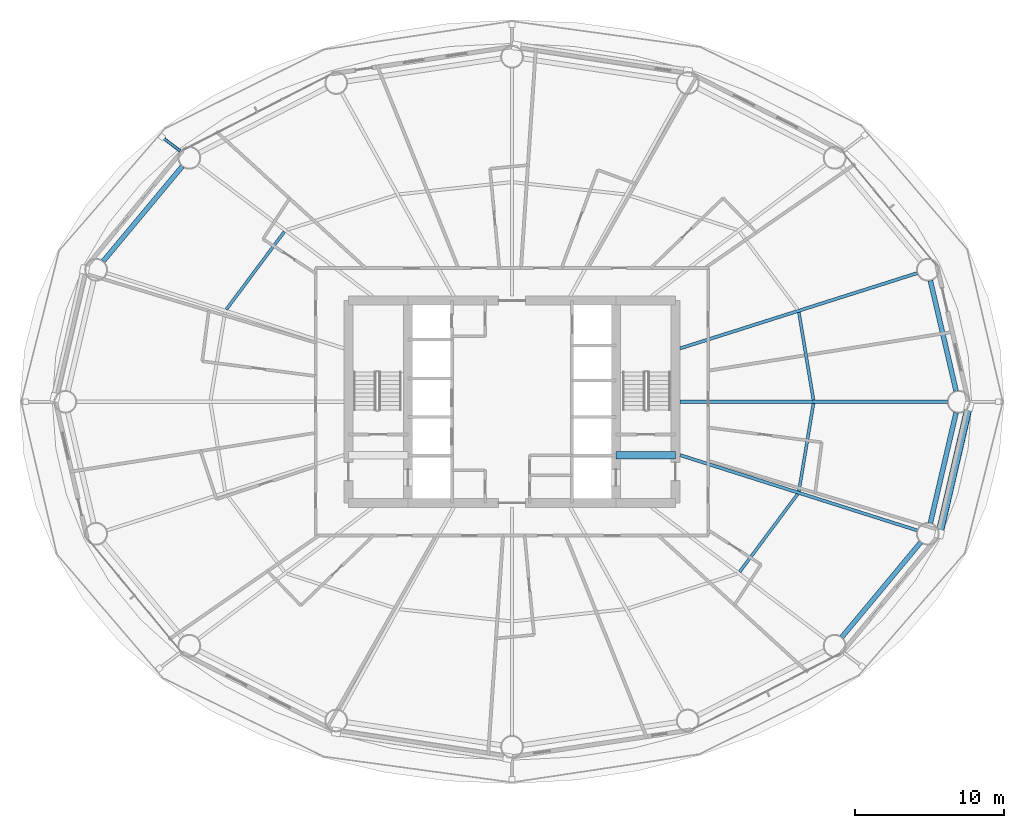
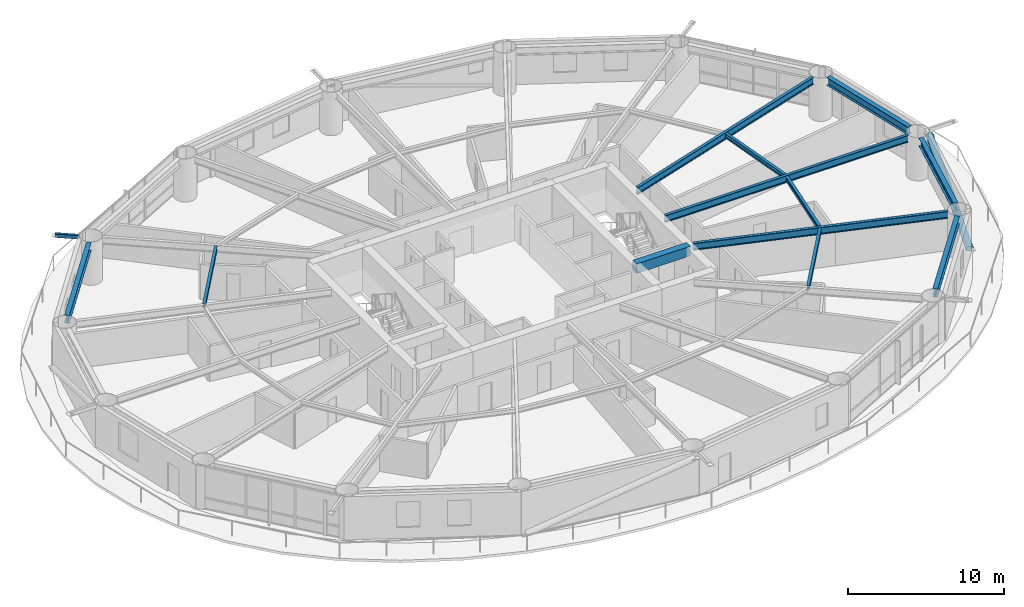
# One storey, part 9 of 28: 12 beams, 2 members.
"""IFC4 building model written with IfcOpenShell, lengths in metres."""

from ifc_helpers import new_model, si_unit, direction, frame, origin, origin_2d, place, context, subcontext, project, spatial, rectangle, hollow_rectangle, hollow_circle, i_section, extrude, material, material_profile, profile_set, type_object, element, save


model = new_model("IFC4")

# Units and contexts
model_context = context("Model", 3, precision=1e-05, world=origin(), true_north=direction((0.0, 1.0)))
body_context = subcontext(model_context, "Body", "Model", "MODEL_VIEW")
ifc_project = project(units=[si_unit("LENGTHUNIT", "METRE"), si_unit("AREAUNIT", "SQUARE_METRE"), si_unit("VOLUMEUNIT", "CUBIC_METRE"), si_unit("PLANEANGLEUNIT", "RADIAN"), si_unit("MASSUNIT", "GRAM", prefix="KILO")], contexts=[model_context])

# Site, building, storey
site_placement = place(None, origin())
site = spatial("IfcSite", under=ifc_project, at=site_placement, CompositionType="ELEMENT")
building_placement = place(site_placement, origin())
building = spatial("IfcBuilding", under=site, at=building_placement, Name="Sarneth Arch Tower", CompositionType="ELEMENT")
storey_placement = place(building_placement, frame((0.0, 0.0, 67.800048828125)))
storey = spatial("IfcBuildingStorey", under=building, at=storey_placement, Name="L16", CompositionType="ELEMENT", Elevation=67.800048828125)

# Beams
ifc_material_1 = material(Name="Steel S355", Category="steel")
ifc_material_profile_1 = material_profile(ifc_material_1, i_section(OverallWidth=0.202880859375, OverallDepth=0.346923828125, WebThickness=0.0078125, FlangeThickness=0.013427734375, FilletRadius=0.014892578125, at=origin_2d()), Name="W360x64")
ifc_profile_set_1 = profile_set([ifc_material_profile_1], Name="Steel S355")
beam_type_1 = type_object("IfcBeamType", Name="BM-JOIST-360C", PredefinedType="JOIST", material=ifc_profile_set_1)
beam_1_placement = place(storey_placement, frame((68.27490234375, 42.10546875, 3.20654296875), z_axis=(-0.16394288124, 0.986469833138, 0.0), x_axis=(-0.986469833138, -0.16394288124, 0.0)))
element("IfcBeam", 1, at=beam_1_placement, inside=storey, type_object=beam_type_1, Name="L16 Secondary floor joist 01", PredefinedType="JOIST", context=body_context, shape_type="SweptSolid", body=[
    extrude(i_section(OverallWidth=0.202880859375, OverallDepth=0.346923828125, WebThickness=0.0078125, FlangeThickness=0.013427734375, FilletRadius=0.014892578125, at=origin_2d()), origin(), (0.0, 0.0, 1.0), 5.989501953125),
])
for number, where, z_axis, x_axis, name in (
    (2, (32.691650390625, 53.4404296875, 3.20654296875), (-0.597700490469, -0.801719479428, 0.0), (0.801719479428, -0.597700490469, 0.0), "L16 Secondary floor joist 07"),
    (3, (63.308349609375, 30.5595703125, 3.20654296875), (0.597700490469, 0.801719479428, 0.0), (-0.801719479428, 0.597700490469, 0.0), "L16 Secondary floor joist 15"),
):
    element("IfcBeam", number, at=place(storey_placement, frame(where, z_axis=z_axis, x_axis=x_axis)), inside=storey, type_object=beam_type_1, Name=name, PredefinedType="JOIST", context=body_context, shape_type="SweptSolid", body=[
        extrude(i_section(OverallWidth=0.202880859375, OverallDepth=0.346923828125, WebThickness=0.0078125, FlangeThickness=0.013427734375, FilletRadius=0.014892578125, at=origin_2d()), origin(), (0.0, 0.0, 1.0), 6.5302734375),
    ])
beam_2_placement = place(storey_placement, frame((67.29296875, 35.986083984375, 3.20654296875), z_axis=(0.16394288124, 0.986469833138, 0.0), x_axis=(-0.986469833138, 0.16394288124, 0.0)))
element("IfcBeam", 4, at=beam_2_placement, inside=storey, type_object=beam_type_1, Name="L16 Secondary floor joist 16", PredefinedType="JOIST", context=body_context, shape_type="SweptSolid", body=[
    extrude(i_section(OverallWidth=0.202880859375, OverallDepth=0.346923828125, WebThickness=0.0078125, FlangeThickness=0.013427734375, FilletRadius=0.014892578125, at=origin_2d()), origin(), (0.0, 0.0, 1.0), 5.989501953125),
])
ifc_material_2 = material(Name="Concrete C50/60", Category="concrete")
ifc_material_profile_2 = material_profile(ifc_material_2, rectangle(XDim=0.5, YDim=0.75, at=origin_2d()), Name="RC-500x750")
ifc_profile_set_2 = profile_set([ifc_material_profile_2], Name="Concrete C50/60")
beam_type_2 = type_object("IfcBeamType", Name="BM-LINTEL-RC", PredefinedType="LINTEL", material=ifc_profile_set_2)
beam_3_placement = place(storey_placement, frame((55.0, 38.39990234375, 3.0048828125), z_axis=(1.0, 0.0, 0.0), x_axis=(0.0, 1.0, 0.0)))
element("IfcBeam", 5, at=beam_3_placement, inside=storey, type_object=beam_type_2, Name="L16 Core coupling lintel E", PredefinedType="LINTEL", context=body_context, shape_type="SweptSolid", body=[
    extrude(rectangle(XDim=0.5, YDim=0.75, at=origin_2d()), origin(), (0.0, 0.0, 1.0), 4.0),
])
ifc_material_3 = material(Name="Steel S355", Category="steel")
ifc_material_profile_3 = material_profile(ifc_material_3, i_section(OverallWidth=0.214111328125, OverallDepth=0.549072265625, WebThickness=0.0146484375, FlangeThickness=0.023681640625, FilletRadius=0.01806640625, at=origin_2d()), Name="W530x138")
ifc_profile_set_3 = profile_set([ifc_material_profile_3], Name="Steel S355")
beam_type_3 = type_object("IfcBeamType", Name="BM-RAD-530A", PredefinedType="BEAM", material=ifc_profile_set_3)
beam_4_placement = place(storey_placement, frame((59.300048828125, 42.0, 3.10546875), z_axis=(1.0, 0.0, 0.0), x_axis=(0.0, 1.0, 0.0)))
element("IfcBeam", 6, at=beam_4_placement, inside=storey, type_object=beam_type_3, Name="L16 Radial floor girder 01", PredefinedType="BEAM", context=body_context, shape_type="SweptSolid", body=[
    extrude(i_section(OverallWidth=0.214111328125, OverallDepth=0.549072265625, WebThickness=0.0146484375, FlangeThickness=0.023681640625, FilletRadius=0.01806640625, at=origin_2d()), origin(), (0.0, 0.0, 1.0), 17.98486328125),
])
for number, where, z_axis, x_axis, name in (
    (7, (59.300048828125, 45.58740234375, 3.10546875), (0.953119859464, 0.30259301627, 0.0), (-0.30259301627, 0.953119859464, 0.0), "L16 Radial floor girder 02"),
    (8, (59.300048828125, 38.41259765625, 3.10546875), (0.953119859464, -0.30259301627, 0.0), (0.30259301627, 0.953119859464, 0.0), "L16 Radial floor girder 16"),
):
    element("IfcBeam", number, at=place(storey_placement, frame(where, z_axis=z_axis, x_axis=x_axis)), inside=storey, type_object=beam_type_3, Name=name, PredefinedType="BEAM", context=body_context, shape_type="SweptSolid", body=[
        extrude(i_section(OverallWidth=0.214111328125, OverallDepth=0.549072265625, WebThickness=0.0146484375, FlangeThickness=0.023681640625, FilletRadius=0.01806640625, at=origin_2d()), origin(), (0.0, 0.0, 1.0), 16.7353515625),
    ])
ifc_material_4 = material(Name="Steel S355", Category="steel")
ifc_material_profile_4 = material_profile(ifc_material_4, i_section(OverallWidth=0.326904296875, OverallDepth=0.6220703125, WebThickness=0.015380859375, FlangeThickness=0.0244140625, FilletRadius=0.01904296875, at=origin_2d()), Name="W610x195")
ifc_profile_set_4 = profile_set([ifc_material_profile_4], Name="Steel S355")
beam_type_4 = type_object("IfcBeamType", Name="BM-SPAN-610A", PredefinedType="SPANDREL", material=ifc_profile_set_4)
beam_5_placement = place(storey_placement, frame((77.864501953125, 42.73046875, 3.06884765625), z_axis=(-0.226982354826, 0.973898870827, 0.0), x_axis=(-0.973898870827, -0.226982354826, 0.0)))
element("IfcBeam", 9, at=beam_5_placement, inside=storey, type_object=beam_type_4, Name="L16 Perimeter spandrel beam 01", PredefinedType="SPANDREL", context=body_context, shape_type="SweptSolid", body=[
    extrude(i_section(OverallWidth=0.326904296875, OverallDepth=0.6220703125, WebThickness=0.015380859375, FlangeThickness=0.0244140625, FilletRadius=0.01904296875, at=origin_2d()), origin(), (0.0, 0.0, 1.0), 7.6162109375),
])
for number, where, z_axis, x_axis, name in (
    (10, (25.8232421875, 57.82861328125, 3.06884765625), (-0.639981736251, -0.768390120489, 0.0), (0.768390120489, -0.639981736251, 0.0), "L16 Perimeter spandrel beam 07"),
    (11, (70.1767578125, 26.17138671875, 3.06884765625), (0.639981736251, 0.768390120489, 0.0), (-0.768390120489, 0.639981736251, 0.0), "L16 Perimeter spandrel beam 15"),
):
    element("IfcBeam", number, at=place(storey_placement, frame(where, z_axis=z_axis, x_axis=x_axis)), inside=storey, type_object=beam_type_4, Name=name, PredefinedType="SPANDREL", context=body_context, shape_type="SweptSolid", body=[
        extrude(i_section(OverallWidth=0.326904296875, OverallDepth=0.6220703125, WebThickness=0.015380859375, FlangeThickness=0.0244140625, FilletRadius=0.01904296875, at=origin_2d()), origin(), (0.0, 0.0, 1.0), 8.29541015625),
    ])
beam_6_placement = place(storey_placement, frame((76.1357421875, 33.85205078125, 3.06884765625), z_axis=(0.226982354826, 0.973898870827, 0.0), x_axis=(-0.973898870827, 0.226982354826, 0.0)))
element("IfcBeam", 12, at=beam_6_placement, inside=storey, type_object=beam_type_4, Name="L16 Perimeter spandrel beam 16", PredefinedType="SPANDREL", context=body_context, shape_type="SweptSolid", body=[
    extrude(i_section(OverallWidth=0.326904296875, OverallDepth=0.6220703125, WebThickness=0.015380859375, FlangeThickness=0.0244140625, FilletRadius=0.01904296875, at=origin_2d()), origin(), (0.0, 0.0, 1.0), 7.6162109375),
])

# Members
ifc_material_5 = material(Name="Steel S355", Category="steel")
ifc_material_profile_5 = material_profile(ifc_material_5, hollow_rectangle(XDim=0.199951171875, YDim=0.300048828125, WallThickness=0.012451171875, InnerFilletRadius=0.018798828125, OuterFilletRadius=0.03125, at=origin_2d()), Name="RHS300x200x12.5")
ifc_profile_set_5 = profile_set([ifc_material_profile_5], Name="Steel S355")
member_type_1 = type_object("IfcMemberType", Name="MEM-CANT-STRUT", PredefinedType="STRUT", material=ifc_profile_set_5)
member_1_placement = place(storey_placement, frame((25.705078125, 58.857177734375, 3.219970703125), z_axis=(-0.797613515263, 0.603168865468, 0.0), x_axis=(-0.603168865468, -0.797613515263, 0.0)))
element("IfcMember", 13, at=member_1_placement, inside=storey, type_object=member_type_1, Name="L16 Balcony cantilever bracket 07", PredefinedType="STRUT", context=body_context, shape_type="SweptSolid", body=[
    extrude(hollow_rectangle(XDim=0.199951171875, YDim=0.300048828125, WallThickness=0.012451171875, InnerFilletRadius=0.018798828125, OuterFilletRadius=0.03125, at=origin_2d()), origin(), (0.0, 0.0, 1.0), 1.563232421875),
])
ifc_material_6 = material(Name="Steel S355", Category="steel")
ifc_material_profile_6 = material_profile(ifc_material_6, hollow_circle(Radius=0.25390625, WallThickness=0.01611328125, at=origin_2d()), Name="CHS508x16")
ifc_profile_set_6 = profile_set([ifc_material_profile_6], Name="Steel S355")
member_type_2 = type_object("IfcMemberType", Name="MEM-DIAG-BR1", PredefinedType="BRACE", material=ifc_profile_set_6)
member_2_placement = place(storey_placement, frame((76.739013671875, 33.115478515625, 0.02001953125), z_axis=(0.213332307958, 0.922814312474, 0.320785085492), x_axis=(-0.974304339016, 0.225235554419, 0.0)))
element("IfcMember", 14, at=member_2_placement, inside=storey, type_object=member_type_2, Name="L16 Perimeter frame diagonal 16", PredefinedType="BRACE", context=body_context, shape_type="SweptSolid", body=[
    extrude(hollow_circle(Radius=0.25390625, WallThickness=0.01611328125, at=origin_2d()), origin(), (0.0, 0.0, 1.0), 9.31103515625),
])

save(model, "model.ifc")
